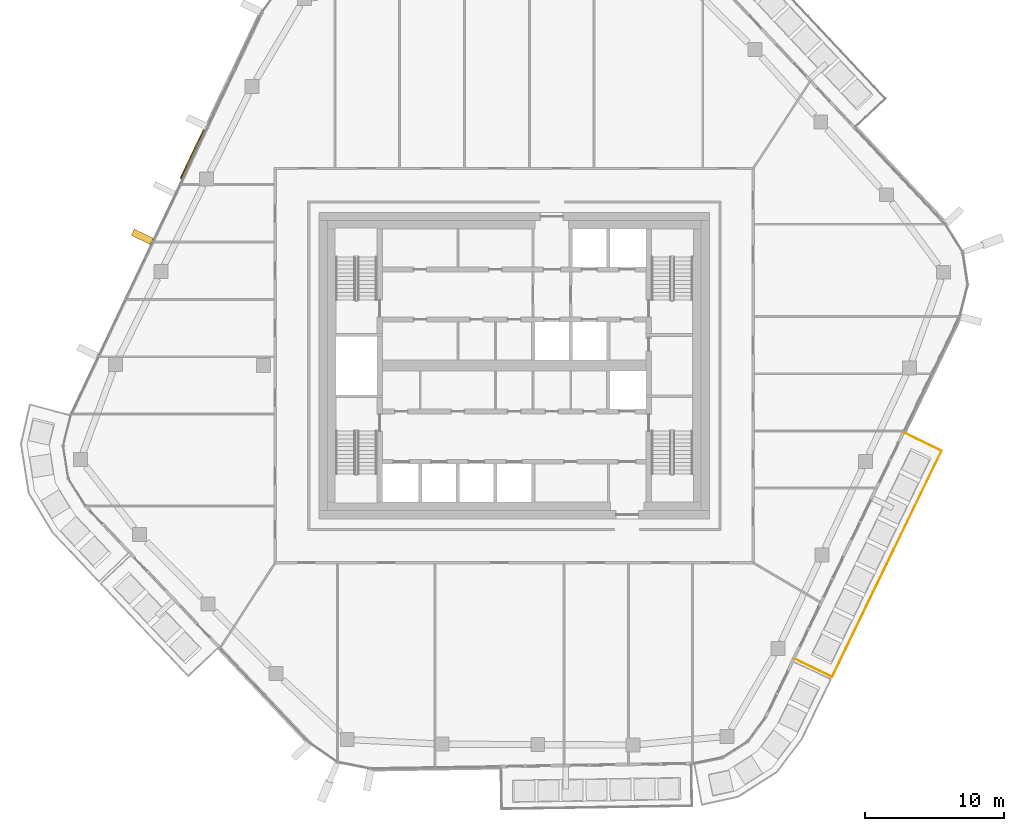
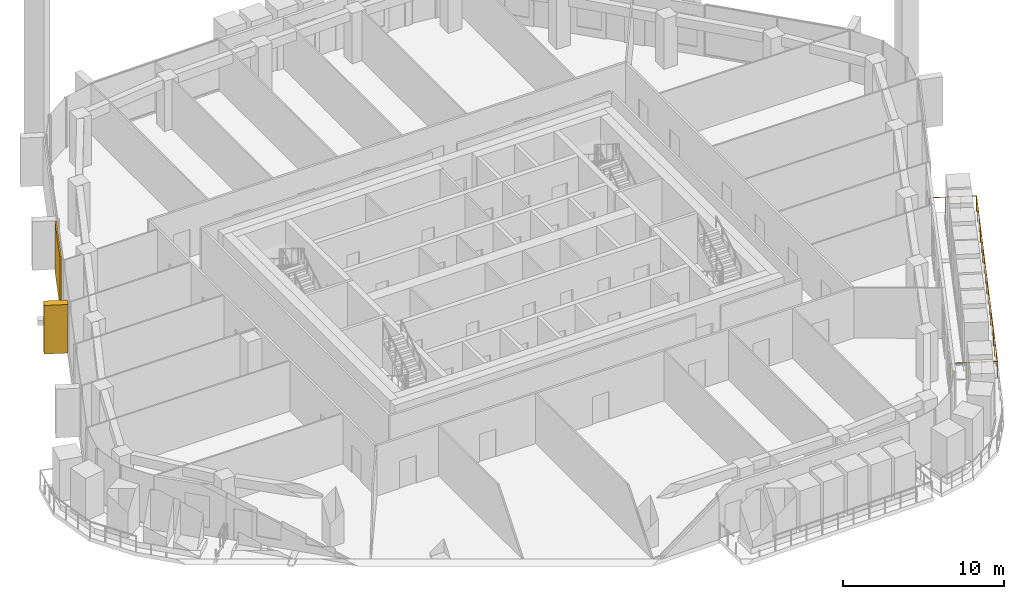
# One storey, part 21 of 24: 2 coverings, 1 railing, 1 element without a shape of its own.
"""IFC4 building model written with IfcOpenShell, lengths in metres."""

from ifc_helpers import new_model, si_unit, direction, frame, origin, origin_2d, place, context, subcontext, project, spatial, rectangle, circle, extrude, material, layer, layer_set, material_profile, profile_set, type_object, element, aggregate, save


model = new_model("IFC4")

# Units and contexts
model_context = context("Model", 3, precision=1e-05, world=origin(), true_north=direction((0.0, 1.0)))
body_context = subcontext(model_context, "Body", "Model", "MODEL_VIEW")
ifc_project = project(units=[si_unit("LENGTHUNIT", "METRE"), si_unit("AREAUNIT", "SQUARE_METRE"), si_unit("VOLUMEUNIT", "CUBIC_METRE"), si_unit("PLANEANGLEUNIT", "RADIAN"), si_unit("MASSUNIT", "GRAM", prefix="KILO")], contexts=[model_context])

# Site, building, storey
site_placement = place(None, origin())
site = spatial("IfcSite", under=ifc_project, at=site_placement, CompositionType="ELEMENT")
building_placement = place(site_placement, origin())
building = spatial("IfcBuilding", under=site, at=building_placement, Name="Dongbaek Canopy Tower", CompositionType="ELEMENT")
storey_placement = place(building_placement, frame((0.0, 0.0, 294.199951171875)))
storey = spatial("IfcBuildingStorey", under=building, at=storey_placement, Name="L62", CompositionType="ELEMENT", Elevation=294.199951171875)

# Railing
ifc_material_1 = material(Name="Stainless steel", Category="steel")
railing_type = type_object("IfcRailingType", Name="Balcony balustrade 1200", PredefinedType="BALUSTRADE", material=ifc_material_1)
railing_placement = place(storey_placement, frame((20.15478515625, -21.060546875, 0.0)))
element("IfcRailing", 1, at=railing_placement, inside=storey, type_object=railing_type, Name="Balcony guard L62 5", PredefinedType="BALUSTRADE", context=body_context, shape_type="SweptSolid", body=[
    extrude(circle(Radius=0.02392578125, at=origin_2d()), frame((0.0, 0.0, 1.17578125), z_axis=(0.900002702987, -0.43588431334, 0.0), x_axis=(0.43588431334, 0.900002702987, 0.0)), (0.0, 0.0, 1.0), 2.93994140625),
    extrude(circle(Radius=0.02392578125, at=origin_2d()), frame((2.64599609375, -1.281494140625, 1.17578125), z_axis=(0.435867784056, 0.900010708171, 0.0), x_axis=(-0.900010708171, 0.435867784056, 0.0)), (0.0, 0.0, 1.0), 18.02880859375),
    extrude(circle(Radius=0.02392578125, at=origin_2d()), frame((10.504150390625, 14.944580078125, 1.17578125), z_axis=(-0.900002702987, 0.43588431334, 0.0), x_axis=(-0.43588431334, -0.900002702987, 0.0)), (0.0, 0.0, 1.0), 2.93994140625),
    extrude(circle(Radius=0.02099609375, at=origin_2d()), origin(), (0.0, 0.0, 1.0), 1.15185546875),
    extrude(circle(Radius=0.02099609375, at=origin_2d()), frame((0.882080078125, -0.42724609375, 0.0)), (0.0, 0.0, 1.0), 1.15185546875),
    extrude(circle(Radius=0.02099609375, at=origin_2d()), frame((1.763916015625, -0.854248046875, 0.0)), (0.0, 0.0, 1.0), 1.15185546875),
    extrude(circle(Radius=0.02099609375, at=origin_2d()), frame((2.64599609375, -1.281494140625, 0.0)), (0.0, 0.0, 1.0), 1.15185546875),
    extrude(circle(Radius=0.02099609375, at=origin_2d()), frame((3.13720703125, -0.267333984375, 0.0)), (0.0, 0.0, 1.0), 1.15185546875),
    extrude(circle(Radius=0.02099609375, at=origin_2d()), frame((3.628173828125, 0.746826171875, 0.0)), (0.0, 0.0, 1.0), 1.15185546875),
    extrude(circle(Radius=0.02099609375, at=origin_2d()), frame((4.119384765625, 1.760986328125, 0.0)), (0.0, 0.0, 1.0), 1.15185546875),
    extrude(circle(Radius=0.02099609375, at=origin_2d()), frame((4.610595703125, 2.77490234375, 0.0)), (0.0, 0.0, 1.0), 1.15185546875),
    extrude(circle(Radius=0.02099609375, at=origin_2d()), frame((5.1015625, 3.7890625, 0.0)), (0.0, 0.0, 1.0), 1.15185546875),
    extrude(circle(Radius=0.02099609375, at=origin_2d()), frame((5.5927734375, 4.80322265625, 0.0)), (0.0, 0.0, 1.0), 1.15185546875),
    extrude(circle(Radius=0.02099609375, at=origin_2d()), frame((6.083984375, 5.8173828125, 0.0)), (0.0, 0.0, 1.0), 1.15185546875),
    extrude(circle(Radius=0.02099609375, at=origin_2d()), frame((6.5751953125, 6.83154296875, 0.0)), (0.0, 0.0, 1.0), 1.15185546875),
    extrude(circle(Radius=0.02099609375, at=origin_2d()), frame((7.066162109375, 7.845703125, 0.0)), (0.0, 0.0, 1.0), 1.15185546875),
    extrude(circle(Radius=0.02099609375, at=origin_2d()), frame((7.557373046875, 8.85986328125, 0.0)), (0.0, 0.0, 1.0), 1.15185546875),
    extrude(circle(Radius=0.02099609375, at=origin_2d()), frame((8.048583984375, 9.8740234375, 0.0)), (0.0, 0.0, 1.0), 1.15185546875),
    extrude(circle(Radius=0.02099609375, at=origin_2d()), frame((8.53955078125, 10.88818359375, 0.0)), (0.0, 0.0, 1.0), 1.15185546875),
    extrude(circle(Radius=0.02099609375, at=origin_2d()), frame((9.03076171875, 11.902099609375, 0.0)), (0.0, 0.0, 1.0), 1.15185546875),
    extrude(circle(Radius=0.02099609375, at=origin_2d()), frame((9.52197265625, 12.916259765625, 0.0)), (0.0, 0.0, 1.0), 1.15185546875),
    extrude(circle(Radius=0.02099609375, at=origin_2d()), frame((10.012939453125, 13.930419921875, 0.0)), (0.0, 0.0, 1.0), 1.15185546875),
    extrude(circle(Radius=0.02099609375, at=origin_2d()), frame((10.504150390625, 14.944580078125, 0.0)), (0.0, 0.0, 1.0), 1.15185546875),
    extrude(circle(Radius=0.02099609375, at=origin_2d()), frame((9.6220703125, 15.371826171875, 0.0)), (0.0, 0.0, 1.0), 1.15185546875),
    extrude(circle(Radius=0.02099609375, at=origin_2d()), frame((8.740234375, 15.798828125, 0.0)), (0.0, 0.0, 1.0), 1.15185546875),
    extrude(circle(Radius=0.02099609375, at=origin_2d()), frame((7.858154296875, 16.22607421875, 0.0)), (0.0, 0.0, 1.0), 1.15185546875),
])

# Curtain wall, coverings
ifc_material_2 = material(Name="Aluminium 6063-T6 pale anodised", Category="aluminium")
ifc_layer_1 = layer(ifc_material_2, 0.199951171875)
ifc_layer_set_1 = layer_set([ifc_layer_1], Name="CW-1 unitised tower curtain wall")
curtain_wall_type = type_object("IfcCurtainWallType", Name="CW-1 unitised tower curtain wall", PredefinedType="NOTDEFINED", material=ifc_layer_set_1)
curtain_wall_placement = place(storey_placement, origin())
curtain_wall = element("IfcCurtainWall", 2, at=curtain_wall_placement, inside=storey, type_object=curtain_wall_type, Name="CW-1 curtain wall F2.1", PredefinedType="NOTDEFINED")
ifc_material_3 = material(Name="Perforated aluminium 6063-T6 pale metal screen", Category="aluminium")
ifc_layer_2 = layer(ifc_material_3, 0.10009765625)
ifc_layer_set_2 = layer_set([ifc_layer_2], Name="Facet screen FS1 100 pale metal")
covering_type_1 = type_object("IfcCoveringType", Name="Facet screen FS1 100 pale metal", PredefinedType="CLADDING", material=ifc_layer_set_2)
covering_1_placement = place(storey_placement, frame((-23.105224609375, 15.163818359375, 0.0), z_axis=(0.0, 0.0, 1.0), x_axis=(-0.42914323553, -0.903236449331, 0.0)))
covering_1 = element("IfcCovering", 3, at=covering_1_placement, type_object=covering_type_1, Name="Facet screen L62 F2", PredefinedType="CLADDING", context=body_context, shape_type="SweptSolid", body=[
    extrude(rectangle(XDim=3.877685546875, YDim=0.10009765625, at=origin_2d()), origin(), (0.0, 0.0, 1.0), 3.820068359375),
])
ifc_material_4 = material(Name="Aluminium 6063-T6 pale metal fin", Category="aluminium")
ifc_material_profile = material_profile(ifc_material_4, rectangle(XDim=1.5, YDim=0.5, at=origin_2d()), Name="Fin FN1 500 x 1500 pale metal")
ifc_profile_set = profile_set([ifc_material_profile], Name="Aluminium 6063-T6 pale metal fin")
covering_type_2 = type_object("IfcCoveringType", Name="Fin FN1 500 x 1500 pale metal", PredefinedType="CLADDING", material=ifc_profile_set)
covering_2_placement = place(storey_placement, frame((-26.699462890625, 9.23974609375, 0.1201171875), z_axis=(0.0, 0.0, 1.0), x_axis=(-0.903236413866, 0.429143310174, 0.0)))
covering_2 = element("IfcCovering", 4, at=covering_2_placement, type_object=covering_type_2, Name="Fin F2.1.5", PredefinedType="CLADDING", context=body_context, shape_type="SweptSolid", body=[
    extrude(rectangle(XDim=1.5, YDim=0.5, at=origin_2d()), origin(), (0.0, 0.0, 1.0), 3.699951171875),
])
aggregate(curtain_wall, [covering_2, covering_1])

save(model, "model.ifc")
